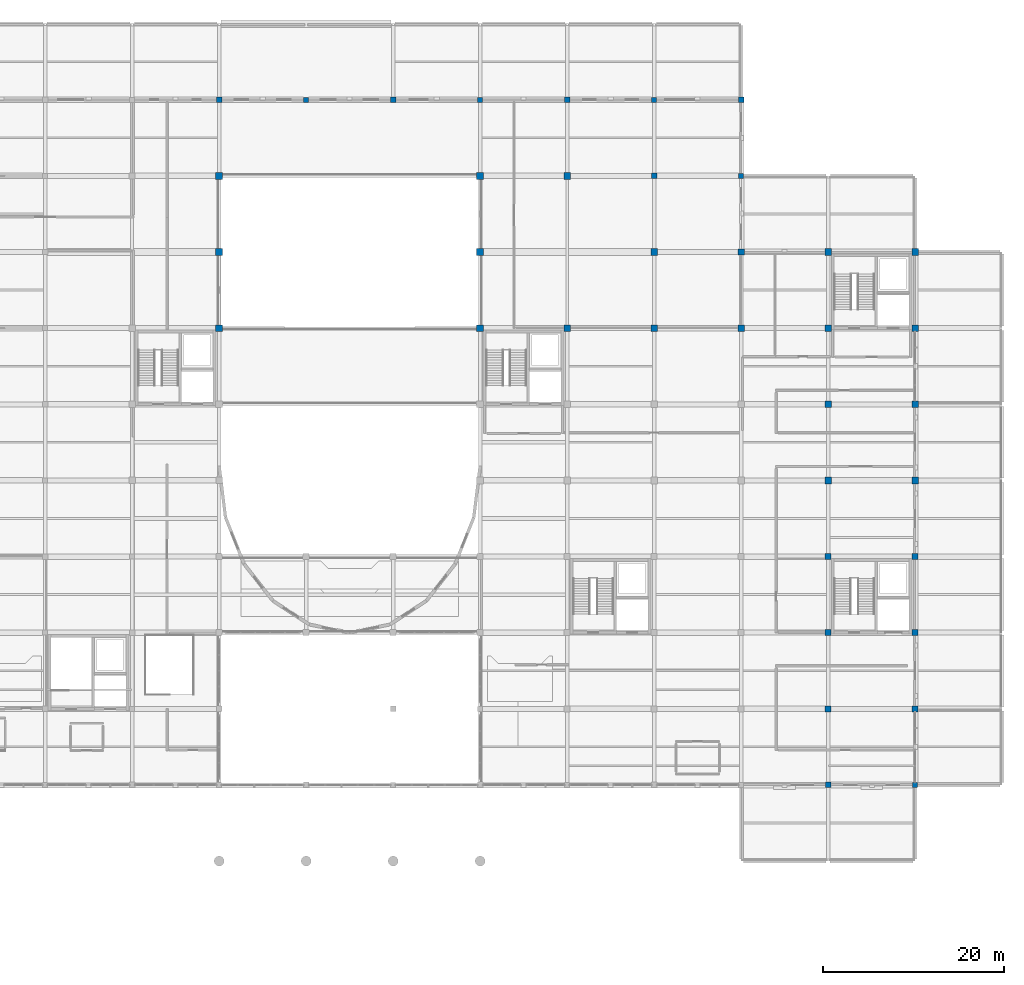
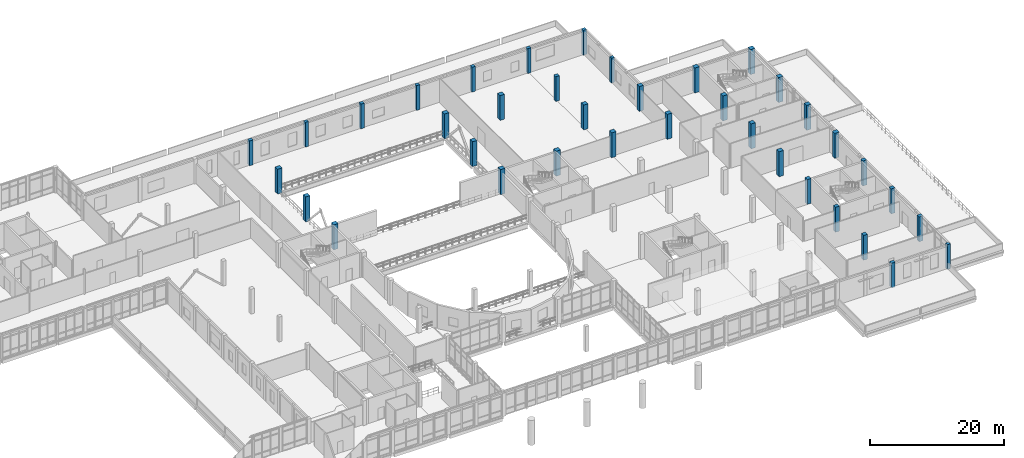
# One storey, part 6 of 88: 37 columns.
"""IFC4 building model written with IfcOpenShell, lengths in metres."""

from ifc_helpers import new_model, si_unit, direction, frame, origin, origin_2d, place, context, subcontext, project, spatial, rectangle, extrude, material, material_profile, profile_set, type_object, element, save


model = new_model("IFC4")

# Units and contexts
model_context = context("Model", 3, precision=1e-05, world=origin(), true_north=direction((0.0, 1.0)))
body_context = subcontext(model_context, "Body", "Model", "MODEL_VIEW")
ifc_project = project(units=[si_unit("LENGTHUNIT", "METRE"), si_unit("AREAUNIT", "SQUARE_METRE"), si_unit("VOLUMEUNIT", "CUBIC_METRE"), si_unit("PLANEANGLEUNIT", "RADIAN"), si_unit("MASSUNIT", "GRAM", prefix="KILO")], contexts=[model_context])

# Site, building, storey
site_placement = place(None, origin())
site = spatial("IfcSite", under=ifc_project, at=site_placement, CompositionType="ELEMENT")
building_placement = place(site_placement, origin())
building = spatial("IfcBuilding", under=site, at=building_placement, Name="Lornevale Opera House", CompositionType="ELEMENT")
storey_placement = place(building_placement, frame((0.0, 0.0, 10.199951171875)))
storey = spatial("IfcBuildingStorey", under=building, at=storey_placement, Name="L03", CompositionType="ELEMENT", Elevation=10.199951171875)

# Columns
ifc_material_1 = material(Name="Concrete 35 MPa (CSA A23.1 N)", Category="concrete")
ifc_material_profile_1 = material_profile(ifc_material_1, rectangle(XDim=0.550048828125, YDim=0.550048828125, at=origin_2d()), Name="RC550x550")
ifc_profile_set_1 = profile_set([ifc_material_profile_1], Name="Concrete 35 MPa (CSA A23.1 N)")
column_type_1 = type_object("IfcColumnType", Name="Concrete Column 550x550", PredefinedType="COLUMN", material=ifc_profile_set_1)
for number, where, z_axis, x_axis, name in (
    (1, (76.800048828125, 92.39990234375, 0.0), (0.0, 0.0, 1.0), (1.0, 0.0, 0.0), "Concrete Column 550x550 0536"),
    (2, (96.0, 92.39990234375, 0.0), (0.0, 0.0, 1.0), (1.0, 0.0, 0.0), "Concrete Column 550x550 0669"),
    (3, (115.199951171875, 92.39990234375, 0.0), (0.0, 0.0, 1.0), (1.0, 0.0, 0.0), "Concrete Column 550x550 0822"),
    (4, (124.800048828125, 84.0, 0.0), (0.0, 0.0, 1.0), (1.0, 0.0, 0.0), "Concrete Column 550x550 0896"),
    (5, (144.0, 16.800048828125, 0.0), (0.0, 0.0, 1.0), (1.0, 0.0, 0.0), "Concrete Column 550x550 0982"),
):
    element("IfcColumn", number, at=place(storey_placement, frame(where, z_axis=z_axis, x_axis=x_axis)), inside=storey, type_object=column_type_1, Name=name, PredefinedType="COLUMN", context=body_context, shape_type="SweptSolid", body=[
        extrude(rectangle(XDim=0.550048828125, YDim=0.550048828125, at=origin_2d()), origin(), (0.0, 0.0, 1.0), 4.530029296875),
    ])
ifc_material_profile_2 = material_profile(ifc_material_1, rectangle(XDim=0.60009765625, YDim=0.60009765625, at=origin_2d()), Name="RC600x600")
ifc_profile_set_2 = profile_set([ifc_material_profile_2], Name="Concrete 35 MPa (CSA A23.1 N)")
column_type_2 = type_object("IfcColumnType", Name="Concrete Column 600x600", PredefinedType="COLUMN", material=ifc_profile_set_2)
for number, where, z_axis, x_axis, name in (
    (6, (67.199951171875, 92.39990234375, 0.0), (0.0, 0.0, 1.0), (1.0, 0.0, 0.0), "Concrete Column 600x600 0487"),
    (7, (86.39990234375, 92.39990234375, 0.0), (0.0, 0.0, 1.0), (1.0, 0.0, 0.0), "Concrete Column 600x600 0586"),
    (8, (105.60009765625, 92.39990234375, 0.0), (0.0, 0.0, 1.0), (1.0, 0.0, 0.0), "Concrete Column 600x600 0744"),
    (9, (115.199951171875, 84.0, 0.0), (0.0, 0.0, 1.0), (1.0, 0.0, 0.0), "Concrete Column 600x600 0817"),
    (10, (124.800048828125, 92.39990234375, 0.0), (0.0, 0.0, 1.0), (1.0, 0.0, 0.0), "Concrete Column 600x600 0901"),
    (11, (134.39990234375, 16.800048828125, 0.0), (0.0, 0.0, 1.0), (1.0, 0.0, 0.0), "Concrete Column 600x600 0919"),
):
    element("IfcColumn", number, at=place(storey_placement, frame(where, z_axis=z_axis, x_axis=x_axis)), inside=storey, type_object=column_type_2, Name=name, PredefinedType="COLUMN", context=body_context, shape_type="SweptSolid", body=[
        extrude(rectangle(XDim=0.60009765625, YDim=0.60009765625, at=origin_2d()), origin(), (0.0, 0.0, 1.0), 4.530029296875),
    ])
ifc_material_2 = material(Name="Concrete 40 MPa (CSA A23.1 C-1)", Category="concrete")
ifc_material_profile_3 = material_profile(ifc_material_2, rectangle(XDim=0.64990234375, YDim=0.64990234375, at=origin_2d()), Name="RC650x650")
ifc_profile_set_3 = profile_set([ifc_material_profile_3], Name="Concrete 40 MPa (CSA A23.1 C-1)")
column_type_3 = type_object("IfcColumnType", Name="Concrete Column 650x650", PredefinedType="COLUMN", material=ifc_profile_set_3)
column_1_placement = place(storey_placement, frame((134.39990234375, 25.199951171875, 0.0), z_axis=(0.0, 0.0, 1.0), x_axis=(1.0, 0.0, 0.0)))
element("IfcColumn", 12, at=column_1_placement, inside=storey, type_object=column_type_3, Name="Concrete Column 650x650 0924", PredefinedType="COLUMN", context=body_context, shape_type="SweptSolid", body=[
    extrude(rectangle(XDim=0.64990234375, YDim=0.64990234375, at=origin_2d()), origin(), (0.0, 0.0, 1.0), 4.530029296875),
])
for number, where, z_axis, x_axis, name in (
    (13, (134.39990234375, 33.60009765625, 0.0), (0.0, 0.0, 1.0), (1.0, 0.0, 0.0), "Concrete Column 650x650 0930"),
    (14, (134.39990234375, 42.0, 0.0), (0.0, 0.0, 1.0), (1.0, 0.0, 0.0), "Concrete Column 650x650 0936"),
):
    element("IfcColumn", number, at=place(storey_placement, frame(where, z_axis=z_axis, x_axis=x_axis)), inside=storey, type_object=column_type_3, Name=name, PredefinedType="COLUMN", context=body_context, shape_type="SweptSolid", body=[
        extrude(rectangle(XDim=0.64990234375, YDim=0.64990234375, at=origin_2d()), origin(), (0.0, 0.0, 1.0), 4.56005859375),
    ])
column_2_placement = place(storey_placement, frame((144.0, 25.199951171875, 0.0), z_axis=(0.0, 0.0, 1.0), x_axis=(1.0, 0.0, 0.0)))
element("IfcColumn", 15, at=column_2_placement, inside=storey, type_object=column_type_3, Name="Concrete Column 650x650 0987", PredefinedType="COLUMN", context=body_context, shape_type="SweptSolid", body=[
    extrude(rectangle(XDim=0.64990234375, YDim=0.64990234375, at=origin_2d()), origin(), (0.0, 0.0, 1.0), 4.530029296875),
])
for number, where, z_axis, x_axis, name in (
    (16, (144.0, 33.60009765625, 0.0), (0.0, 0.0, 1.0), (1.0, 0.0, 0.0), "Concrete Column 650x650 0993"),
    (17, (144.0, 42.0, 0.0), (0.0, 0.0, 1.0), (1.0, 0.0, 0.0), "Concrete Column 650x650 0999"),
):
    element("IfcColumn", number, at=place(storey_placement, frame(where, z_axis=z_axis, x_axis=x_axis)), inside=storey, type_object=column_type_3, Name=name, PredefinedType="COLUMN", context=body_context, shape_type="SweptSolid", body=[
        extrude(rectangle(XDim=0.64990234375, YDim=0.64990234375, at=origin_2d()), origin(), (0.0, 0.0, 1.0), 4.56005859375),
    ])
ifc_material_profile_4 = material_profile(ifc_material_2, rectangle(XDim=0.699951171875, YDim=0.699951171875, at=origin_2d()), Name="RC700x700")
ifc_profile_set_4 = profile_set([ifc_material_profile_4], Name="Concrete 40 MPa (CSA A23.1 C-1)")
column_type_4 = type_object("IfcColumnType", Name="Concrete Column 700x700", PredefinedType="COLUMN", material=ifc_profile_set_4)
column_3_placement = place(storey_placement, frame((124.800048828125, 75.60009765625, 0.0), z_axis=(0.0, 0.0, 1.0), x_axis=(1.0, 0.0, 0.0)))
element("IfcColumn", 18, at=column_3_placement, inside=storey, type_object=column_type_4, Name="Concrete Column 700x700 0889", PredefinedType="COLUMN", context=body_context, shape_type="SweptSolid", body=[
    extrude(rectangle(XDim=0.699951171875, YDim=0.699951171875, at=origin_2d()), origin(), (0.0, 0.0, 1.0), 4.530029296875),
])
ifc_material_profile_5 = material_profile(ifc_material_2, rectangle(XDim=0.75, YDim=0.75, at=origin_2d()), Name="RC750x750")
ifc_profile_set_5 = profile_set([ifc_material_profile_5], Name="Concrete 40 MPa (CSA A23.1 C-1)")
column_type_5 = type_object("IfcColumnType", Name="Concrete Column 750x750", PredefinedType="COLUMN", material=ifc_profile_set_5)
for number, where, z_axis, x_axis, name in (
    (19, (67.199951171875, 67.199951171875, 0.0), (0.0, 0.0, 1.0), (1.0, 0.0, 0.0), "Concrete Column 750x750 0463"),
    (20, (67.199951171875, 75.60009765625, 0.0), (0.0, 0.0, 1.0), (1.0, 0.0, 0.0), "Concrete Column 750x750 0471"),
):
    element("IfcColumn", number, at=place(storey_placement, frame(where, z_axis=z_axis, x_axis=x_axis)), inside=storey, type_object=column_type_5, Name=name, PredefinedType="COLUMN", context=body_context, shape_type="SweptSolid", body=[
        extrude(rectangle(XDim=0.75, YDim=0.75, at=origin_2d()), origin(), (0.0, 0.0, 1.0), 4.56005859375),
    ])
column_4_placement = place(storey_placement, frame((67.199951171875, 84.0, 0.0), z_axis=(0.0, 0.0, 1.0), x_axis=(1.0, 0.0, 0.0)))
element("IfcColumn", 21, at=column_4_placement, inside=storey, type_object=column_type_5, Name="Concrete Column 750x750 0479", PredefinedType="COLUMN", context=body_context, shape_type="SweptSolid", body=[
    extrude(rectangle(XDim=0.75, YDim=0.75, at=origin_2d()), origin(), (0.0, 0.0, 1.0), 4.530029296875),
])
for number, where, z_axis, x_axis, name in (
    (22, (96.0, 67.199951171875, 0.0), (0.0, 0.0, 1.0), (1.0, 0.0, 0.0), "Concrete Column 750x750 0645"),
    (23, (96.0, 75.60009765625, 0.0), (0.0, 0.0, 1.0), (1.0, 0.0, 0.0), "Concrete Column 750x750 0653"),
):
    element("IfcColumn", number, at=place(storey_placement, frame(where, z_axis=z_axis, x_axis=x_axis)), inside=storey, type_object=column_type_5, Name=name, PredefinedType="COLUMN", context=body_context, shape_type="SweptSolid", body=[
        extrude(rectangle(XDim=0.75, YDim=0.75, at=origin_2d()), origin(), (0.0, 0.0, 1.0), 4.56005859375),
    ])
column_5_placement = place(storey_placement, frame((96.0, 84.0, 0.0), z_axis=(0.0, 0.0, 1.0), x_axis=(1.0, 0.0, 0.0)))
element("IfcColumn", 24, at=column_5_placement, inside=storey, type_object=column_type_5, Name="Concrete Column 750x750 0661", PredefinedType="COLUMN", context=body_context, shape_type="SweptSolid", body=[
    extrude(rectangle(XDim=0.75, YDim=0.75, at=origin_2d()), origin(), (0.0, 0.0, 1.0), 4.530029296875),
])
column_6_placement = place(storey_placement, frame((105.60009765625, 67.199951171875, 0.0), z_axis=(0.0, 0.0, 1.0), x_axis=(1.0, 0.0, 0.0)))
element("IfcColumn", 25, at=column_6_placement, inside=storey, type_object=column_type_5, Name="Concrete Column 750x750 0726", PredefinedType="COLUMN", context=body_context, shape_type="SweptSolid", body=[
    extrude(rectangle(XDim=0.75, YDim=0.75, at=origin_2d()), origin(), (0.0, 0.0, 1.0), 4.56005859375),
])
column_7_placement = place(storey_placement, frame((105.60009765625, 84.0, 0.0), z_axis=(0.0, 0.0, 1.0), x_axis=(1.0, 0.0, 0.0)))
element("IfcColumn", 26, at=column_7_placement, inside=storey, type_object=column_type_5, Name="Concrete Column 750x750 0736", PredefinedType="COLUMN", context=body_context, shape_type="SweptSolid", body=[
    extrude(rectangle(XDim=0.75, YDim=0.75, at=origin_2d()), origin(), (0.0, 0.0, 1.0), 4.530029296875),
])
column_8_placement = place(storey_placement, frame((115.199951171875, 67.199951171875, 0.0), z_axis=(0.0, 0.0, 1.0), x_axis=(1.0, 0.0, 0.0)))
element("IfcColumn", 27, at=column_8_placement, inside=storey, type_object=column_type_5, Name="Concrete Column 750x750 0801", PredefinedType="COLUMN", context=body_context, shape_type="SweptSolid", body=[
    extrude(rectangle(XDim=0.75, YDim=0.75, at=origin_2d()), origin(), (0.0, 0.0, 1.0), 4.56005859375),
])
column_9_placement = place(storey_placement, frame((115.199951171875, 75.60009765625, 0.0), z_axis=(0.0, 0.0, 1.0), x_axis=(1.0, 0.0, 0.0)))
element("IfcColumn", 28, at=column_9_placement, inside=storey, type_object=column_type_5, Name="Concrete Column 750x750 0809", PredefinedType="COLUMN", context=body_context, shape_type="SweptSolid", body=[
    extrude(rectangle(XDim=0.75, YDim=0.75, at=origin_2d()), origin(), (0.0, 0.0, 1.0), 4.530029296875),
])
for number, where, z_axis, x_axis, name in (
    (29, (124.800048828125, 67.199951171875, 0.0), (0.0, 0.0, 1.0), (1.0, 0.0, 0.0), "Concrete Column 750x750 0881"),
    (30, (134.39990234375, 50.39990234375, 0.0), (0.0, 0.0, 1.0), (1.0, 0.0, 0.0), "Concrete Column 750x750 0942"),
    (31, (134.39990234375, 58.800048828125, 0.0), (0.0, 0.0, 1.0), (1.0, 0.0, 0.0), "Concrete Column 750x750 0950"),
    (32, (134.39990234375, 67.199951171875, 0.0), (0.0, 0.0, 1.0), (1.0, 0.0, 0.0), "Concrete Column 750x750 0958"),
    (33, (134.39990234375, 75.60009765625, 0.0), (0.0, 0.0, 1.0), (1.0, 0.0, 0.0), "Concrete Column 750x750 0966"),
    (34, (144.0, 50.39990234375, 0.0), (0.0, 0.0, 1.0), (1.0, 0.0, 0.0), "Concrete Column 750x750 1005"),
    (35, (144.0, 58.800048828125, 0.0), (0.0, 0.0, 1.0), (1.0, 0.0, 0.0), "Concrete Column 750x750 1013"),
    (36, (144.0, 67.199951171875, 0.0), (0.0, 0.0, 1.0), (1.0, 0.0, 0.0), "Concrete Column 750x750 1021"),
    (37, (144.0, 75.60009765625, 0.0), (0.0, 0.0, 1.0), (1.0, 0.0, 0.0), "Concrete Column 750x750 1029"),
):
    element("IfcColumn", number, at=place(storey_placement, frame(where, z_axis=z_axis, x_axis=x_axis)), inside=storey, type_object=column_type_5, Name=name, PredefinedType="COLUMN", context=body_context, shape_type="SweptSolid", body=[
        extrude(rectangle(XDim=0.75, YDim=0.75, at=origin_2d()), origin(), (0.0, 0.0, 1.0), 4.56005859375),
    ])

save(model, "model.ifc")
